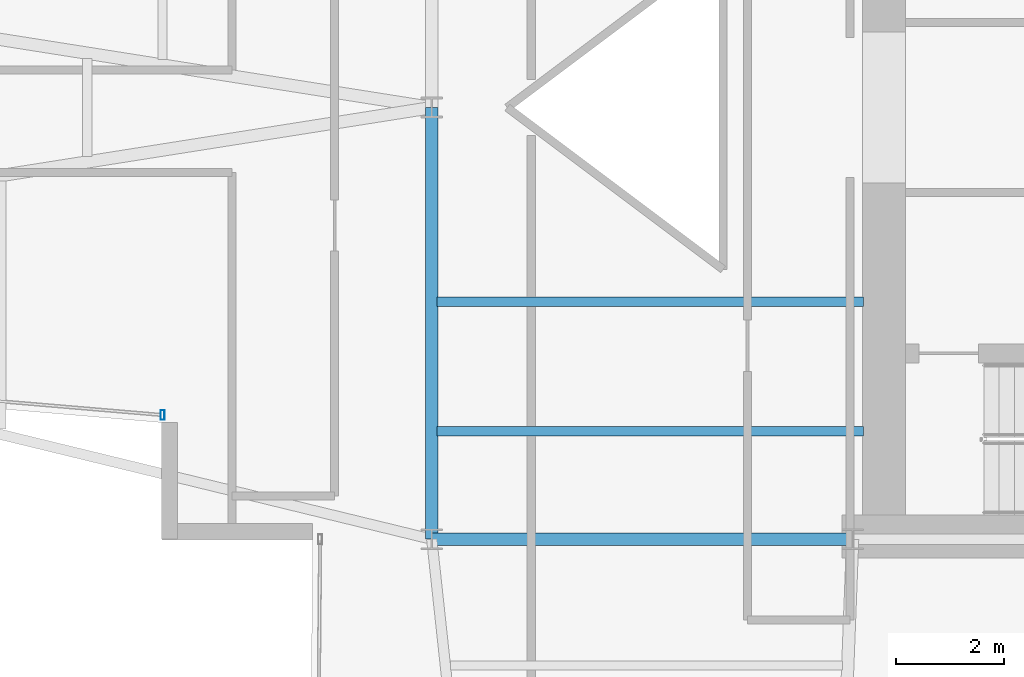
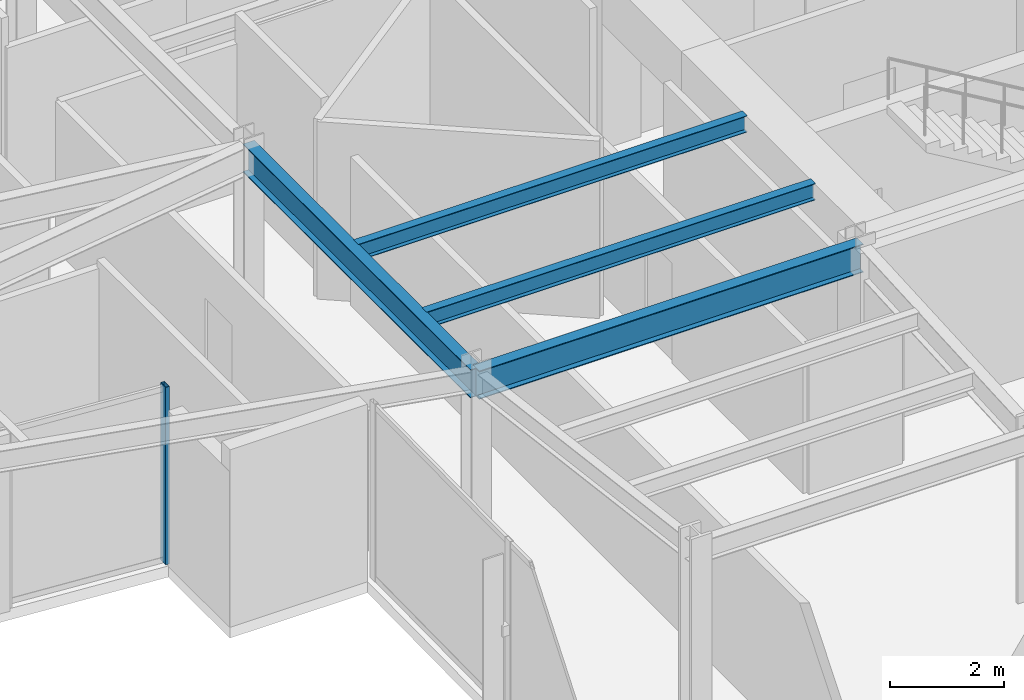
# One storey, part 5 of 25: 4 beams, 1 member, 1 element without a shape of its own.
"""IFC4 building model written with IfcOpenShell, lengths in metres."""

from ifc_helpers import new_model, si_unit, direction, frame, origin, origin_2d, place, context, subcontext, project, spatial, hollow_rectangle, i_section, extrude, material, layer, layer_set, material_profile, profile_set, type_object, element, aggregate, save


model = new_model("IFC4")

# Units and contexts
model_context = context("Model", 3, precision=1e-05, world=origin(), true_north=direction((0.0, 1.0)))
body_context = subcontext(model_context, "Body", "Model", "MODEL_VIEW")
ifc_project = project(units=[si_unit("LENGTHUNIT", "METRE"), si_unit("AREAUNIT", "SQUARE_METRE"), si_unit("VOLUMEUNIT", "CUBIC_METRE"), si_unit("PLANEANGLEUNIT", "RADIAN"), si_unit("MASSUNIT", "GRAM", prefix="KILO")], contexts=[model_context])

# Site, building, storey
site_placement = place(None, origin())
site = spatial("IfcSite", under=ifc_project, at=site_placement, CompositionType="ELEMENT")
building_placement = place(site_placement, origin())
building = spatial("IfcBuilding", under=site, at=building_placement, Name="Veymaron Broadcast Tower", CompositionType="ELEMENT")
storey_placement = place(building_placement, frame((0.0, 0.0, 141.14990234375)))
storey = spatial("IfcBuildingStorey", under=building, at=storey_placement, Name="L32", CompositionType="ELEMENT", Elevation=141.14990234375)

# Beams
ifc_material_1 = material(Name="Structural steel ASTM A992 Gr 50", Category="steel")
ifc_material_profile_1 = material_profile(ifc_material_1, i_section(OverallWidth=0.22802734375, OverallDepth=0.60791015625, WebThickness=0.01123046875, FlangeThickness=0.017333984375, at=origin_2d()), Name="W610X113")
ifc_profile_set_1 = profile_set([ifc_material_profile_1], Name="Structural steel ASTM A992 Gr 50")
beam_type_1 = type_object("IfcBeamType", Name="BM-FG2", PredefinedType="BEAM", material=ifc_profile_set_1)
beam_1_placement = place(storey_placement, frame((31.199951171875, 16.0, 3.506103515625), z_axis=(0.0, 1.0, 0.0), x_axis=(-1.0, 0.0, 0.0)))
element("IfcBeam", 1, at=beam_1_placement, inside=storey, type_object=beam_type_1, Name="L32 primary structural floor girder", PredefinedType="BEAM", context=body_context, shape_type="SweptSolid", body=[
    extrude(i_section(OverallWidth=0.22802734375, OverallDepth=0.60791015625, WebThickness=0.01123046875, FlangeThickness=0.017333984375, at=origin_2d()), origin(), (0.0, 0.0, 1.0), 8.0),
])
beam_2_placement = place(storey_placement, frame((31.199951171875, 16.0, 3.506103515625), z_axis=(1.0, 0.0, 0.0), x_axis=(0.0, 1.0, 0.0)))
element("IfcBeam", 2, at=beam_2_placement, inside=storey, type_object=beam_type_1, Name="L32 primary structural floor girder", PredefinedType="BEAM", context=body_context, shape_type="SweptSolid", body=[
    extrude(i_section(OverallWidth=0.22802734375, OverallDepth=0.60791015625, WebThickness=0.01123046875, FlangeThickness=0.017333984375, at=origin_2d()), origin(), (0.0, 0.0, 1.0), 7.800048828125),
])
ifc_material_profile_2 = material_profile(ifc_material_1, i_section(OverallWidth=0.1708984375, OverallDepth=0.35498046875, WebThickness=0.007080078125, FlangeThickness=0.01171875, at=origin_2d()), Name="W360X51")
ifc_profile_set_2 = profile_set([ifc_material_profile_2], Name="Structural steel ASTM A992 Gr 50")
beam_type_2 = type_object("IfcBeamType", Name="BM-JS2", PredefinedType="JOIST", material=ifc_profile_set_2)
for number, where, z_axis, x_axis, name in (
    (3, (31.300048828125, 18.0, 3.632568359375), (1.0, 0.0, 0.0), (0.0, 1.0, 0.0), "L32 Hub secondary joist 1"),
    (4, (31.300048828125, 20.39990234375, 3.632568359375), (1.0, 0.0, 0.0), (0.0, 1.0, 0.0), "L32 Hub secondary joist 2"),
):
    element("IfcBeam", number, at=place(storey_placement, frame(where, z_axis=z_axis, x_axis=x_axis)), inside=storey, type_object=beam_type_2, Name=name, PredefinedType="JOIST", context=body_context, shape_type="SweptSolid", body=[
        extrude(i_section(OverallWidth=0.1708984375, OverallDepth=0.35498046875, WebThickness=0.007080078125, FlangeThickness=0.01171875, at=origin_2d()), origin(), (0.0, 0.0, 1.0), 7.89990234375),
    ])

# Curtain wall, member
ifc_material_2 = material(Name="Anodised aluminium AA 6063-T6 and laminated low-E dark glass", Category="aluminium")
ifc_layer = layer(ifc_material_2, 0.179931640625)
ifc_layer_set = layer_set([ifc_layer], Name="Anodised aluminium AA 6063-T6 and laminated low-E dark glass")
curtain_wall_type = type_object("IfcCurtainWallType", Name="CW-SYS-03", PredefinedType="NOTDEFINED", material=ifc_layer_set)
curtain_wall_placement = place(storey_placement, origin())
curtain_wall = element("IfcCurtainWall", 5, at=curtain_wall_placement, inside=storey, type_object=curtain_wall_type, Name="L32 dark-glass curtain wall CW-L32-E14-1", PredefinedType="NOTDEFINED")
ifc_material_3 = material(Name="Anodised aluminium AA 6063-T6", Category="aluminium")
ifc_material_profile_3 = material_profile(ifc_material_3, hollow_rectangle(XDim=0.074951171875, YDim=0.179931640625, WallThickness=0.0048828125, at=origin_2d()), Name="AL180X75X5")
ifc_profile_set_3 = profile_set([ifc_material_profile_3], Name="Anodised aluminium AA 6063-T6")
member_type = type_object("IfcMemberType", Name="CW-MUL-02", PredefinedType="MULLION", material=ifc_profile_set_3)
member_placement = place(storey_placement, frame((26.2119140625, 18.301513671875, 0.0), z_axis=(0.0, 0.0, 1.0), x_axis=(1.0, 0.0, 0.0)))
member = element("IfcMember", 6, at=member_placement, type_object=member_type, Name="CW-L32-E14-1 mullion 2", PredefinedType="MULLION", context=body_context, shape_type="SweptSolid", body=[
    extrude(hollow_rectangle(XDim=0.074951171875, YDim=0.179931640625, WallThickness=0.0048828125, at=origin_2d()), origin(), (0.0, 0.0, 1.0), 3.81005859375),
])
aggregate(curtain_wall, [member])

save(model, "model.ifc")
